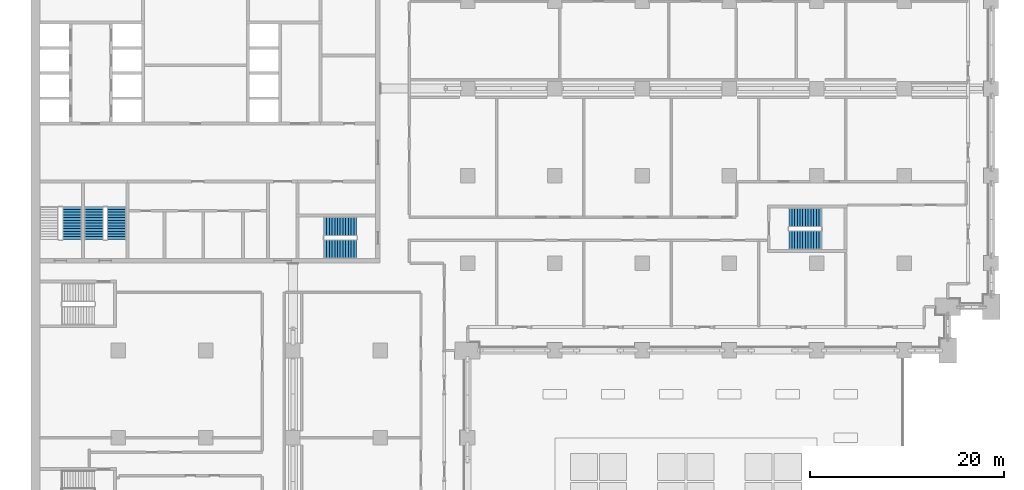
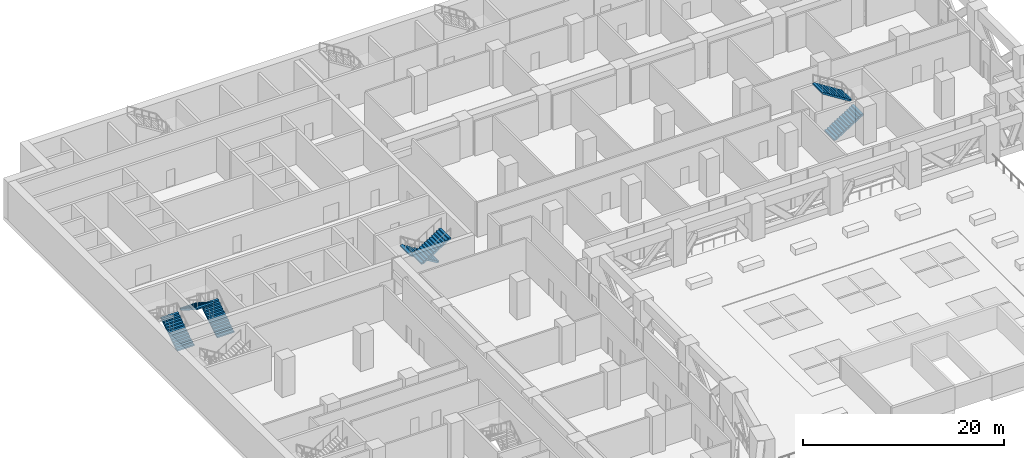
# One storey, part 21 of 31: 7 stair flights, 4 elements without a shape of their own.
"""IFC4 building model written with IfcOpenShell, lengths in metres."""

from ifc_helpers import new_model, si_unit, direction, frame, origin, place, context, subcontext, project, spatial, polyline, outline, extrude, material, type_object, element, aggregate, save


model = new_model("IFC4")

# Units and contexts
model_context = context("Model", 3, precision=1e-05, world=origin(), true_north=direction((0.0, 1.0)))
body_context = subcontext(model_context, "Body", "Model", "MODEL_VIEW")
ifc_project = project(units=[si_unit("LENGTHUNIT", "METRE"), si_unit("AREAUNIT", "SQUARE_METRE"), si_unit("VOLUMEUNIT", "CUBIC_METRE"), si_unit("PLANEANGLEUNIT", "RADIAN"), si_unit("MASSUNIT", "GRAM", prefix="KILO")], contexts=[model_context])

# Site, building, storey
site_placement = place(None, origin())
site = spatial("IfcSite", under=ifc_project, at=site_placement, CompositionType="ELEMENT")
building_placement = place(site_placement, origin())
building = spatial("IfcBuilding", under=site, at=building_placement, Name="Hunhe Ridgeline Campus", CompositionType="ELEMENT")
storey_placement = place(building_placement, frame((0.0, 0.0, 31.199951171875)))
storey = spatial("IfcBuildingStorey", under=building, at=storey_placement, Name="L06", CompositionType="ELEMENT", Elevation=31.199951171875)

# Stair, stair flights
ifc_material = material(Name="Concrete C40", Category="concrete")
stair_type = type_object("IfcStairType", Name="Reinforced concrete dog-leg stair 1950 Concrete C40", PredefinedType="HALF_TURN_STAIR", material=ifc_material)
stair_1_placement = place(storey_placement, origin())
stair_1 = element("IfcStair", 1, at=stair_1_placement, inside=storey, type_object=stair_type, Name="L06 S2", PredefinedType="HALF_TURN_STAIR")
stair_flight_type = type_object("IfcStairFlightType", Name="Reinforced concrete stair flight 1950 Concrete C40", PredefinedType="STRAIGHT", material=ifc_material)
stair_flight_1_placement = place(storey_placement, frame((33.550048828125, 66.77490234375, 0.0), z_axis=(0.0, 0.0, 1.0), x_axis=(-1.0, 0.0, 0.0)))
stair_flight_1 = element("IfcStairFlight", 2, at=stair_flight_1_placement, type_object=stair_flight_type, Name="ST2 flight 1", NumberOfRisers=13, NumberOfTreads=12, PredefinedType="STRAIGHT", RiserHeight=0.176923077, TreadLength=0.28, context=body_context, shape_type="SweptSolid", body=[
    extrude(outline(polyline([(0.0, 0.0), (0.0, 0.177001953125), (0.280029296875, 0.177001953125), (0.280029296875, 0.353759765625), (0.56005859375, 0.353759765625), (0.56005859375, 0.53076171875), (0.840087890625, 0.53076171875), (0.840087890625, 0.707763671875), (1.1201171875, 0.707763671875), (1.1201171875, 0.884521484375), (1.39990234375, 0.884521484375), (1.39990234375, 1.0615234375), (1.679931640625, 1.0615234375), (1.679931640625, 1.238525390625), (1.9599609375, 1.238525390625), (1.9599609375, 1.415283203125), (2.239990234375, 1.415283203125), (2.239990234375, 1.59228515625), (2.52001953125, 1.59228515625), (2.52001953125, 1.769287109375), (2.800048828125, 1.769287109375), (2.800048828125, 1.946044921875), (3.080078125, 1.946044921875), (3.080078125, 2.123046875), (3.360107421875, 2.123046875), (3.360107421875, 2.300048828125), (3.360107421875, 1.94580078125), (0.280517578125, 0.0), (0.0, 0.0)])), frame((0.0, 0.97509765625, 0.0), z_axis=(0.0, -1.0, 0.0), x_axis=(1.0, 0.0, 0.0)), (0.0, 0.0, 1.0), 1.949951171875),
    extrude(outline(polyline([(0.030029296875, 0.030029296875), (0.030029296875, 0.14697265625), (0.31005859375, 0.14697265625), (0.31005859375, 0.32373046875), (0.590087890625, 0.32373046875), (0.590087890625, 0.500732421875), (0.8701171875, 0.500732421875), (0.8701171875, 0.677734375), (1.14990234375, 0.677734375), (1.14990234375, 0.8544921875), (1.429931640625, 0.8544921875), (1.429931640625, 1.031494140625), (1.7099609375, 1.031494140625), (1.7099609375, 1.20849609375), (1.989990234375, 1.20849609375), (1.989990234375, 1.385498046875), (2.27001953125, 1.385498046875), (2.27001953125, 1.562255859375), (2.550048828125, 1.562255859375), (2.550048828125, 1.7392578125), (2.830078125, 1.7392578125), (2.830078125, 1.916259765625), (3.110107421875, 1.916259765625), (3.110107421875, 2.093017578125), (3.330078125, 2.093017578125), (3.330078125, 1.96240234375), (0.27197265625, 0.030029296875), (0.030029296875, 0.030029296875)])), frame((0.0, -0.070068359375, 0.0), z_axis=(0.0, -1.0, 0.0), x_axis=(1.0, 0.0, 0.0)), (0.0, 0.0, 1.0), 0.019775390625),
    extrude(outline(polyline([(0.030029296875, 0.030029296875), (0.030029296875, 0.14697265625), (0.31005859375, 0.14697265625), (0.31005859375, 0.32373046875), (0.590087890625, 0.32373046875), (0.590087890625, 0.500732421875), (0.8701171875, 0.500732421875), (0.8701171875, 0.677734375), (1.14990234375, 0.677734375), (1.14990234375, 0.8544921875), (1.429931640625, 0.8544921875), (1.429931640625, 1.031494140625), (1.7099609375, 1.031494140625), (1.7099609375, 1.20849609375), (1.989990234375, 1.20849609375), (1.989990234375, 1.385498046875), (2.27001953125, 1.385498046875), (2.27001953125, 1.562255859375), (2.550048828125, 1.562255859375), (2.550048828125, 1.7392578125), (2.830078125, 1.7392578125), (2.830078125, 1.916259765625), (3.110107421875, 1.916259765625), (3.110107421875, 2.093017578125), (3.330078125, 2.093017578125), (3.330078125, 1.96240234375), (0.27197265625, 0.030029296875), (0.030029296875, 0.030029296875)])), frame((0.0, 0.010009765625, 0.0), z_axis=(0.0, -1.0, 0.0), x_axis=(1.0, 0.0, 0.0)), (0.0, 0.0, 1.0), 0.019775390625),
    extrude(outline(polyline([(0.030029296875, 0.030029296875), (0.030029296875, 0.14697265625), (0.31005859375, 0.14697265625), (0.31005859375, 0.32373046875), (0.590087890625, 0.32373046875), (0.590087890625, 0.500732421875), (0.8701171875, 0.500732421875), (0.8701171875, 0.677734375), (1.14990234375, 0.677734375), (1.14990234375, 0.8544921875), (1.429931640625, 0.8544921875), (1.429931640625, 1.031494140625), (1.7099609375, 1.031494140625), (1.7099609375, 1.20849609375), (1.989990234375, 1.20849609375), (1.989990234375, 1.385498046875), (2.27001953125, 1.385498046875), (2.27001953125, 1.562255859375), (2.550048828125, 1.562255859375), (2.550048828125, 1.7392578125), (2.830078125, 1.7392578125), (2.830078125, 1.916259765625), (3.110107421875, 1.916259765625), (3.110107421875, 2.093017578125), (3.330078125, 2.093017578125), (3.330078125, 1.96240234375), (0.27197265625, 0.030029296875), (0.030029296875, 0.030029296875)])), frame((0.0, 0.090087890625, 0.0), z_axis=(0.0, -1.0, 0.0), x_axis=(1.0, 0.0, 0.0)), (0.0, 0.0, 1.0), 0.019775390625),
])
stair_flight_2_placement = place(storey_placement, frame((30.18994140625, 64.47509765625, 2.300048828125), z_axis=(0.0, 0.0, 1.0), x_axis=(1.0, 0.0, 0.0)))
stair_flight_2 = element("IfcStairFlight", 3, at=stair_flight_2_placement, type_object=stair_flight_type, Name="ST2 flight 2", NumberOfRisers=13, NumberOfTreads=12, PredefinedType="STRAIGHT", RiserHeight=0.176923077, TreadLength=0.28, context=body_context, shape_type="SweptSolid", body=[
    extrude(outline(polyline([(0.0, 0.0), (0.0, 0.177001953125), (0.280029296875, 0.177001953125), (0.280029296875, 0.353759765625), (0.56005859375, 0.353759765625), (0.56005859375, 0.53076171875), (0.840087890625, 0.53076171875), (0.840087890625, 0.707763671875), (1.1201171875, 0.707763671875), (1.1201171875, 0.884521484375), (1.39990234375, 0.884521484375), (1.39990234375, 1.0615234375), (1.679931640625, 1.0615234375), (1.679931640625, 1.238525390625), (1.9599609375, 1.238525390625), (1.9599609375, 1.415283203125), (2.239990234375, 1.415283203125), (2.239990234375, 1.59228515625), (2.52001953125, 1.59228515625), (2.52001953125, 1.769287109375), (2.800048828125, 1.769287109375), (2.800048828125, 1.946044921875), (3.080078125, 1.946044921875), (3.080078125, 2.123046875), (3.360107421875, 2.123046875), (3.360107421875, 2.300048828125), (3.360107421875, 1.94580078125), (0.280517578125, 0.0), (0.0, 0.0)])), frame((0.0, 0.97509765625, 0.0), z_axis=(0.0, -1.0, 0.0), x_axis=(1.0, 0.0, 0.0)), (0.0, 0.0, 1.0), 1.949951171875),
    extrude(outline(polyline([(0.030029296875, 0.030029296875), (0.030029296875, 0.14697265625), (0.31005859375, 0.14697265625), (0.31005859375, 0.32373046875), (0.590087890625, 0.32373046875), (0.590087890625, 0.500732421875), (0.8701171875, 0.500732421875), (0.8701171875, 0.677734375), (1.14990234375, 0.677734375), (1.14990234375, 0.8544921875), (1.429931640625, 0.8544921875), (1.429931640625, 1.031494140625), (1.7099609375, 1.031494140625), (1.7099609375, 1.20849609375), (1.989990234375, 1.20849609375), (1.989990234375, 1.385498046875), (2.27001953125, 1.385498046875), (2.27001953125, 1.562255859375), (2.550048828125, 1.562255859375), (2.550048828125, 1.7392578125), (2.830078125, 1.7392578125), (2.830078125, 1.916259765625), (3.110107421875, 1.916259765625), (3.110107421875, 2.093017578125), (3.330078125, 2.093017578125), (3.330078125, 1.96240234375), (0.27197265625, 0.030029296875), (0.030029296875, 0.030029296875)])), frame((0.0, -0.070068359375, 0.0), z_axis=(0.0, -1.0, 0.0), x_axis=(1.0, 0.0, 0.0)), (0.0, 0.0, 1.0), 0.019775390625),
    extrude(outline(polyline([(0.030029296875, 0.030029296875), (0.030029296875, 0.14697265625), (0.31005859375, 0.14697265625), (0.31005859375, 0.32373046875), (0.590087890625, 0.32373046875), (0.590087890625, 0.500732421875), (0.8701171875, 0.500732421875), (0.8701171875, 0.677734375), (1.14990234375, 0.677734375), (1.14990234375, 0.8544921875), (1.429931640625, 0.8544921875), (1.429931640625, 1.031494140625), (1.7099609375, 1.031494140625), (1.7099609375, 1.20849609375), (1.989990234375, 1.20849609375), (1.989990234375, 1.385498046875), (2.27001953125, 1.385498046875), (2.27001953125, 1.562255859375), (2.550048828125, 1.562255859375), (2.550048828125, 1.7392578125), (2.830078125, 1.7392578125), (2.830078125, 1.916259765625), (3.110107421875, 1.916259765625), (3.110107421875, 2.093017578125), (3.330078125, 2.093017578125), (3.330078125, 1.96240234375), (0.27197265625, 0.030029296875), (0.030029296875, 0.030029296875)])), frame((0.0, 0.010009765625, 0.0), z_axis=(0.0, -1.0, 0.0), x_axis=(1.0, 0.0, 0.0)), (0.0, 0.0, 1.0), 0.019775390625),
    extrude(outline(polyline([(0.030029296875, 0.030029296875), (0.030029296875, 0.14697265625), (0.31005859375, 0.14697265625), (0.31005859375, 0.32373046875), (0.590087890625, 0.32373046875), (0.590087890625, 0.500732421875), (0.8701171875, 0.500732421875), (0.8701171875, 0.677734375), (1.14990234375, 0.677734375), (1.14990234375, 0.8544921875), (1.429931640625, 0.8544921875), (1.429931640625, 1.031494140625), (1.7099609375, 1.031494140625), (1.7099609375, 1.20849609375), (1.989990234375, 1.20849609375), (1.989990234375, 1.385498046875), (2.27001953125, 1.385498046875), (2.27001953125, 1.562255859375), (2.550048828125, 1.562255859375), (2.550048828125, 1.7392578125), (2.830078125, 1.7392578125), (2.830078125, 1.916259765625), (3.110107421875, 1.916259765625), (3.110107421875, 2.093017578125), (3.330078125, 2.093017578125), (3.330078125, 1.96240234375), (0.27197265625, 0.030029296875), (0.030029296875, 0.030029296875)])), frame((0.0, 0.090087890625, 0.0), z_axis=(0.0, -1.0, 0.0), x_axis=(1.0, 0.0, 0.0)), (0.0, 0.0, 1.0), 0.019775390625),
])
aggregate(stair_1, [stair_flight_1, stair_flight_2])

# Stair, stair flight
stair_2_placement = place(storey_placement, origin())
stair_2 = element("IfcStair", 4, at=stair_2_placement, inside=storey, type_object=stair_type, Name="L06 S3", PredefinedType="HALF_TURN_STAIR")
stair_flight_3_placement = place(storey_placement, frame((4.22509765625, 65.449951171875, 0.0), z_axis=(0.0, 0.0, 1.0), x_axis=(0.0, 1.0, 0.0)))
stair_flight_3 = element("IfcStairFlight", 5, at=stair_flight_3_placement, type_object=stair_flight_type, Name="ST3 flight 1", NumberOfRisers=13, NumberOfTreads=12, PredefinedType="STRAIGHT", RiserHeight=0.176923077, TreadLength=0.28, context=body_context, shape_type="SweptSolid", body=[
    extrude(outline(polyline([(0.0, 0.0), (0.0, 0.177001953125), (0.280029296875, 0.177001953125), (0.280029296875, 0.353759765625), (0.56005859375, 0.353759765625), (0.56005859375, 0.53076171875), (0.840087890625, 0.53076171875), (0.840087890625, 0.707763671875), (1.1201171875, 0.707763671875), (1.1201171875, 0.884521484375), (1.39990234375, 0.884521484375), (1.39990234375, 1.0615234375), (1.679931640625, 1.0615234375), (1.679931640625, 1.238525390625), (1.9599609375, 1.238525390625), (1.9599609375, 1.415283203125), (2.239990234375, 1.415283203125), (2.239990234375, 1.59228515625), (2.52001953125, 1.59228515625), (2.52001953125, 1.769287109375), (2.800048828125, 1.769287109375), (2.800048828125, 1.946044921875), (3.080078125, 1.946044921875), (3.080078125, 2.123046875), (3.360107421875, 2.123046875), (3.360107421875, 2.300048828125), (3.360107421875, 1.94580078125), (0.280517578125, 0.0), (0.0, 0.0)])), frame((0.0, 0.97509765625, 0.0), z_axis=(0.0, -1.0, 0.0), x_axis=(1.0, 0.0, 0.0)), (0.0, 0.0, 1.0), 1.949951171875),
    extrude(outline(polyline([(0.030029296875, 0.030029296875), (0.030029296875, 0.14697265625), (0.31005859375, 0.14697265625), (0.31005859375, 0.32373046875), (0.590087890625, 0.32373046875), (0.590087890625, 0.500732421875), (0.8701171875, 0.500732421875), (0.8701171875, 0.677734375), (1.14990234375, 0.677734375), (1.14990234375, 0.8544921875), (1.429931640625, 0.8544921875), (1.429931640625, 1.031494140625), (1.7099609375, 1.031494140625), (1.7099609375, 1.20849609375), (1.989990234375, 1.20849609375), (1.989990234375, 1.385498046875), (2.27001953125, 1.385498046875), (2.27001953125, 1.562255859375), (2.550048828125, 1.562255859375), (2.550048828125, 1.7392578125), (2.830078125, 1.7392578125), (2.830078125, 1.916259765625), (3.110107421875, 1.916259765625), (3.110107421875, 2.093017578125), (3.330078125, 2.093017578125), (3.330078125, 1.96240234375), (0.27197265625, 0.030029296875), (0.030029296875, 0.030029296875)])), frame((0.0, -0.070068359375, 0.0), z_axis=(0.0, -1.0, 0.0), x_axis=(1.0, 0.0, 0.0)), (0.0, 0.0, 1.0), 0.019775390625),
    extrude(outline(polyline([(0.030029296875, 0.030029296875), (0.030029296875, 0.14697265625), (0.31005859375, 0.14697265625), (0.31005859375, 0.32373046875), (0.590087890625, 0.32373046875), (0.590087890625, 0.500732421875), (0.8701171875, 0.500732421875), (0.8701171875, 0.677734375), (1.14990234375, 0.677734375), (1.14990234375, 0.8544921875), (1.429931640625, 0.8544921875), (1.429931640625, 1.031494140625), (1.7099609375, 1.031494140625), (1.7099609375, 1.20849609375), (1.989990234375, 1.20849609375), (1.989990234375, 1.385498046875), (2.27001953125, 1.385498046875), (2.27001953125, 1.562255859375), (2.550048828125, 1.562255859375), (2.550048828125, 1.7392578125), (2.830078125, 1.7392578125), (2.830078125, 1.916259765625), (3.110107421875, 1.916259765625), (3.110107421875, 2.093017578125), (3.330078125, 2.093017578125), (3.330078125, 1.96240234375), (0.27197265625, 0.030029296875), (0.030029296875, 0.030029296875)])), frame((0.0, 0.010009765625, 0.0), z_axis=(0.0, -1.0, 0.0), x_axis=(1.0, 0.0, 0.0)), (0.0, 0.0, 1.0), 0.019775390625),
    extrude(outline(polyline([(0.030029296875, 0.030029296875), (0.030029296875, 0.14697265625), (0.31005859375, 0.14697265625), (0.31005859375, 0.32373046875), (0.590087890625, 0.32373046875), (0.590087890625, 0.500732421875), (0.8701171875, 0.500732421875), (0.8701171875, 0.677734375), (1.14990234375, 0.677734375), (1.14990234375, 0.8544921875), (1.429931640625, 0.8544921875), (1.429931640625, 1.031494140625), (1.7099609375, 1.031494140625), (1.7099609375, 1.20849609375), (1.989990234375, 1.20849609375), (1.989990234375, 1.385498046875), (2.27001953125, 1.385498046875), (2.27001953125, 1.562255859375), (2.550048828125, 1.562255859375), (2.550048828125, 1.7392578125), (2.830078125, 1.7392578125), (2.830078125, 1.916259765625), (3.110107421875, 1.916259765625), (3.110107421875, 2.093017578125), (3.330078125, 2.093017578125), (3.330078125, 1.96240234375), (0.27197265625, 0.030029296875), (0.030029296875, 0.030029296875)])), frame((0.0, 0.090087890625, 0.0), z_axis=(0.0, -1.0, 0.0), x_axis=(1.0, 0.0, 0.0)), (0.0, 0.0, 1.0), 0.019775390625),
])
aggregate(stair_2, [stair_flight_3])

# Stair, stair flights
stair_3_placement = place(storey_placement, origin())
stair_3 = element("IfcStair", 6, at=stair_3_placement, inside=storey, type_object=stair_type, Name="L06 S4", PredefinedType="HALF_TURN_STAIR")
stair_flight_4_placement = place(storey_placement, frame((8.824951171875, 65.449951171875, 0.0), z_axis=(0.0, 0.0, 1.0), x_axis=(0.0, 1.0, 0.0)))
stair_flight_4 = element("IfcStairFlight", 7, at=stair_flight_4_placement, type_object=stair_flight_type, Name="ST4 flight 1", NumberOfRisers=13, NumberOfTreads=12, PredefinedType="STRAIGHT", RiserHeight=0.176923077, TreadLength=0.28, context=body_context, shape_type="SweptSolid", body=[
    extrude(outline(polyline([(0.0, 0.0), (0.0, 0.177001953125), (0.280029296875, 0.177001953125), (0.280029296875, 0.353759765625), (0.56005859375, 0.353759765625), (0.56005859375, 0.53076171875), (0.840087890625, 0.53076171875), (0.840087890625, 0.707763671875), (1.1201171875, 0.707763671875), (1.1201171875, 0.884521484375), (1.39990234375, 0.884521484375), (1.39990234375, 1.0615234375), (1.679931640625, 1.0615234375), (1.679931640625, 1.238525390625), (1.9599609375, 1.238525390625), (1.9599609375, 1.415283203125), (2.239990234375, 1.415283203125), (2.239990234375, 1.59228515625), (2.52001953125, 1.59228515625), (2.52001953125, 1.769287109375), (2.800048828125, 1.769287109375), (2.800048828125, 1.946044921875), (3.080078125, 1.946044921875), (3.080078125, 2.123046875), (3.360107421875, 2.123046875), (3.360107421875, 2.300048828125), (3.360107421875, 1.94580078125), (0.280517578125, 0.0), (0.0, 0.0)])), frame((0.0, 0.97509765625, 0.0), z_axis=(0.0, -1.0, 0.0), x_axis=(1.0, 0.0, 0.0)), (0.0, 0.0, 1.0), 1.949951171875),
    extrude(outline(polyline([(0.030029296875, 0.030029296875), (0.030029296875, 0.14697265625), (0.31005859375, 0.14697265625), (0.31005859375, 0.32373046875), (0.590087890625, 0.32373046875), (0.590087890625, 0.500732421875), (0.8701171875, 0.500732421875), (0.8701171875, 0.677734375), (1.14990234375, 0.677734375), (1.14990234375, 0.8544921875), (1.429931640625, 0.8544921875), (1.429931640625, 1.031494140625), (1.7099609375, 1.031494140625), (1.7099609375, 1.20849609375), (1.989990234375, 1.20849609375), (1.989990234375, 1.385498046875), (2.27001953125, 1.385498046875), (2.27001953125, 1.562255859375), (2.550048828125, 1.562255859375), (2.550048828125, 1.7392578125), (2.830078125, 1.7392578125), (2.830078125, 1.916259765625), (3.110107421875, 1.916259765625), (3.110107421875, 2.093017578125), (3.330078125, 2.093017578125), (3.330078125, 1.96240234375), (0.27197265625, 0.030029296875), (0.030029296875, 0.030029296875)])), frame((0.0, -0.070068359375, 0.0), z_axis=(0.0, -1.0, 0.0), x_axis=(1.0, 0.0, 0.0)), (0.0, 0.0, 1.0), 0.019775390625),
    extrude(outline(polyline([(0.030029296875, 0.030029296875), (0.030029296875, 0.14697265625), (0.31005859375, 0.14697265625), (0.31005859375, 0.32373046875), (0.590087890625, 0.32373046875), (0.590087890625, 0.500732421875), (0.8701171875, 0.500732421875), (0.8701171875, 0.677734375), (1.14990234375, 0.677734375), (1.14990234375, 0.8544921875), (1.429931640625, 0.8544921875), (1.429931640625, 1.031494140625), (1.7099609375, 1.031494140625), (1.7099609375, 1.20849609375), (1.989990234375, 1.20849609375), (1.989990234375, 1.385498046875), (2.27001953125, 1.385498046875), (2.27001953125, 1.562255859375), (2.550048828125, 1.562255859375), (2.550048828125, 1.7392578125), (2.830078125, 1.7392578125), (2.830078125, 1.916259765625), (3.110107421875, 1.916259765625), (3.110107421875, 2.093017578125), (3.330078125, 2.093017578125), (3.330078125, 1.96240234375), (0.27197265625, 0.030029296875), (0.030029296875, 0.030029296875)])), frame((0.0, 0.010009765625, 0.0), z_axis=(0.0, -1.0, 0.0), x_axis=(1.0, 0.0, 0.0)), (0.0, 0.0, 1.0), 0.019775390625),
    extrude(outline(polyline([(0.030029296875, 0.030029296875), (0.030029296875, 0.14697265625), (0.31005859375, 0.14697265625), (0.31005859375, 0.32373046875), (0.590087890625, 0.32373046875), (0.590087890625, 0.500732421875), (0.8701171875, 0.500732421875), (0.8701171875, 0.677734375), (1.14990234375, 0.677734375), (1.14990234375, 0.8544921875), (1.429931640625, 0.8544921875), (1.429931640625, 1.031494140625), (1.7099609375, 1.031494140625), (1.7099609375, 1.20849609375), (1.989990234375, 1.20849609375), (1.989990234375, 1.385498046875), (2.27001953125, 1.385498046875), (2.27001953125, 1.562255859375), (2.550048828125, 1.562255859375), (2.550048828125, 1.7392578125), (2.830078125, 1.7392578125), (2.830078125, 1.916259765625), (3.110107421875, 1.916259765625), (3.110107421875, 2.093017578125), (3.330078125, 2.093017578125), (3.330078125, 1.96240234375), (0.27197265625, 0.030029296875), (0.030029296875, 0.030029296875)])), frame((0.0, 0.090087890625, 0.0), z_axis=(0.0, -1.0, 0.0), x_axis=(1.0, 0.0, 0.0)), (0.0, 0.0, 1.0), 0.019775390625),
])
stair_flight_5_placement = place(storey_placement, frame((6.47509765625, 68.81005859375, 2.300048828125), z_axis=(0.0, 0.0, 1.0), x_axis=(0.0, -1.0, 0.0)))
stair_flight_5 = element("IfcStairFlight", 8, at=stair_flight_5_placement, type_object=stair_flight_type, Name="ST4 flight 2", NumberOfRisers=13, NumberOfTreads=12, PredefinedType="STRAIGHT", RiserHeight=0.176923077, TreadLength=0.28, context=body_context, shape_type="SweptSolid", body=[
    extrude(outline(polyline([(0.0, 0.0), (0.0, 0.177001953125), (0.280029296875, 0.177001953125), (0.280029296875, 0.353759765625), (0.56005859375, 0.353759765625), (0.56005859375, 0.53076171875), (0.840087890625, 0.53076171875), (0.840087890625, 0.707763671875), (1.1201171875, 0.707763671875), (1.1201171875, 0.884521484375), (1.39990234375, 0.884521484375), (1.39990234375, 1.0615234375), (1.679931640625, 1.0615234375), (1.679931640625, 1.238525390625), (1.9599609375, 1.238525390625), (1.9599609375, 1.415283203125), (2.239990234375, 1.415283203125), (2.239990234375, 1.59228515625), (2.52001953125, 1.59228515625), (2.52001953125, 1.769287109375), (2.800048828125, 1.769287109375), (2.800048828125, 1.946044921875), (3.080078125, 1.946044921875), (3.080078125, 2.123046875), (3.360107421875, 2.123046875), (3.360107421875, 2.300048828125), (3.360107421875, 1.94580078125), (0.280517578125, 0.0), (0.0, 0.0)])), frame((0.0, 0.97509765625, 0.0), z_axis=(0.0, -1.0, 0.0), x_axis=(1.0, 0.0, 0.0)), (0.0, 0.0, 1.0), 1.949951171875),
    extrude(outline(polyline([(0.030029296875, 0.030029296875), (0.030029296875, 0.14697265625), (0.31005859375, 0.14697265625), (0.31005859375, 0.32373046875), (0.590087890625, 0.32373046875), (0.590087890625, 0.500732421875), (0.8701171875, 0.500732421875), (0.8701171875, 0.677734375), (1.14990234375, 0.677734375), (1.14990234375, 0.8544921875), (1.429931640625, 0.8544921875), (1.429931640625, 1.031494140625), (1.7099609375, 1.031494140625), (1.7099609375, 1.20849609375), (1.989990234375, 1.20849609375), (1.989990234375, 1.385498046875), (2.27001953125, 1.385498046875), (2.27001953125, 1.562255859375), (2.550048828125, 1.562255859375), (2.550048828125, 1.7392578125), (2.830078125, 1.7392578125), (2.830078125, 1.916259765625), (3.110107421875, 1.916259765625), (3.110107421875, 2.093017578125), (3.330078125, 2.093017578125), (3.330078125, 1.96240234375), (0.27197265625, 0.030029296875), (0.030029296875, 0.030029296875)])), frame((0.0, -0.070068359375, 0.0), z_axis=(0.0, -1.0, 0.0), x_axis=(1.0, 0.0, 0.0)), (0.0, 0.0, 1.0), 0.019775390625),
    extrude(outline(polyline([(0.030029296875, 0.030029296875), (0.030029296875, 0.14697265625), (0.31005859375, 0.14697265625), (0.31005859375, 0.32373046875), (0.590087890625, 0.32373046875), (0.590087890625, 0.500732421875), (0.8701171875, 0.500732421875), (0.8701171875, 0.677734375), (1.14990234375, 0.677734375), (1.14990234375, 0.8544921875), (1.429931640625, 0.8544921875), (1.429931640625, 1.031494140625), (1.7099609375, 1.031494140625), (1.7099609375, 1.20849609375), (1.989990234375, 1.20849609375), (1.989990234375, 1.385498046875), (2.27001953125, 1.385498046875), (2.27001953125, 1.562255859375), (2.550048828125, 1.562255859375), (2.550048828125, 1.7392578125), (2.830078125, 1.7392578125), (2.830078125, 1.916259765625), (3.110107421875, 1.916259765625), (3.110107421875, 2.093017578125), (3.330078125, 2.093017578125), (3.330078125, 1.96240234375), (0.27197265625, 0.030029296875), (0.030029296875, 0.030029296875)])), frame((0.0, 0.010009765625, 0.0), z_axis=(0.0, -1.0, 0.0), x_axis=(1.0, 0.0, 0.0)), (0.0, 0.0, 1.0), 0.019775390625),
    extrude(outline(polyline([(0.030029296875, 0.030029296875), (0.030029296875, 0.14697265625), (0.31005859375, 0.14697265625), (0.31005859375, 0.32373046875), (0.590087890625, 0.32373046875), (0.590087890625, 0.500732421875), (0.8701171875, 0.500732421875), (0.8701171875, 0.677734375), (1.14990234375, 0.677734375), (1.14990234375, 0.8544921875), (1.429931640625, 0.8544921875), (1.429931640625, 1.031494140625), (1.7099609375, 1.031494140625), (1.7099609375, 1.20849609375), (1.989990234375, 1.20849609375), (1.989990234375, 1.385498046875), (2.27001953125, 1.385498046875), (2.27001953125, 1.562255859375), (2.550048828125, 1.562255859375), (2.550048828125, 1.7392578125), (2.830078125, 1.7392578125), (2.830078125, 1.916259765625), (3.110107421875, 1.916259765625), (3.110107421875, 2.093017578125), (3.330078125, 2.093017578125), (3.330078125, 1.96240234375), (0.27197265625, 0.030029296875), (0.030029296875, 0.030029296875)])), frame((0.0, 0.090087890625, 0.0), z_axis=(0.0, -1.0, 0.0), x_axis=(1.0, 0.0, 0.0)), (0.0, 0.0, 1.0), 0.019775390625),
])
aggregate(stair_3, [stair_flight_4, stair_flight_5])

stair_4_placement = place(storey_placement, origin())
stair_4 = element("IfcStair", 9, at=stair_4_placement, inside=storey, type_object=stair_type, Name="L06 E5", PredefinedType="HALF_TURN_STAIR")
stair_flight_6_placement = place(storey_placement, frame((78.14990234375, 65.375, 0.0), z_axis=(0.0, 0.0, 1.0), x_axis=(1.0, 0.0, 0.0)))
stair_flight_6 = element("IfcStairFlight", 10, at=stair_flight_6_placement, type_object=stair_flight_type, Name="ST10 flight 1", NumberOfRisers=13, NumberOfTreads=12, PredefinedType="STRAIGHT", RiserHeight=0.176923077, TreadLength=0.28, context=body_context, shape_type="SweptSolid", body=[
    extrude(outline(polyline([(0.0, 0.0), (0.0, 0.177001953125), (0.280029296875, 0.177001953125), (0.280029296875, 0.353759765625), (0.56005859375, 0.353759765625), (0.56005859375, 0.53076171875), (0.840087890625, 0.53076171875), (0.840087890625, 0.707763671875), (1.1201171875, 0.707763671875), (1.1201171875, 0.884521484375), (1.39990234375, 0.884521484375), (1.39990234375, 1.0615234375), (1.679931640625, 1.0615234375), (1.679931640625, 1.238525390625), (1.9599609375, 1.238525390625), (1.9599609375, 1.415283203125), (2.239990234375, 1.415283203125), (2.239990234375, 1.59228515625), (2.52001953125, 1.59228515625), (2.52001953125, 1.769287109375), (2.800048828125, 1.769287109375), (2.800048828125, 1.946044921875), (3.080078125, 1.946044921875), (3.080078125, 2.123046875), (3.360107421875, 2.123046875), (3.360107421875, 2.300048828125), (3.360107421875, 1.94580078125), (0.280517578125, 0.0), (0.0, 0.0)])), frame((0.0, 0.97509765625, 0.0), z_axis=(0.0, -1.0, 0.0), x_axis=(1.0, 0.0, 0.0)), (0.0, 0.0, 1.0), 1.949951171875),
    extrude(outline(polyline([(0.030029296875, 0.030029296875), (0.030029296875, 0.14697265625), (0.31005859375, 0.14697265625), (0.31005859375, 0.32373046875), (0.590087890625, 0.32373046875), (0.590087890625, 0.500732421875), (0.8701171875, 0.500732421875), (0.8701171875, 0.677734375), (1.14990234375, 0.677734375), (1.14990234375, 0.8544921875), (1.429931640625, 0.8544921875), (1.429931640625, 1.031494140625), (1.7099609375, 1.031494140625), (1.7099609375, 1.20849609375), (1.989990234375, 1.20849609375), (1.989990234375, 1.385498046875), (2.27001953125, 1.385498046875), (2.27001953125, 1.562255859375), (2.550048828125, 1.562255859375), (2.550048828125, 1.7392578125), (2.830078125, 1.7392578125), (2.830078125, 1.916259765625), (3.110107421875, 1.916259765625), (3.110107421875, 2.093017578125), (3.330078125, 2.093017578125), (3.330078125, 1.96240234375), (0.27197265625, 0.030029296875), (0.030029296875, 0.030029296875)])), frame((0.0, -0.070068359375, 0.0), z_axis=(0.0, -1.0, 0.0), x_axis=(1.0, 0.0, 0.0)), (0.0, 0.0, 1.0), 0.019775390625),
    extrude(outline(polyline([(0.030029296875, 0.030029296875), (0.030029296875, 0.14697265625), (0.31005859375, 0.14697265625), (0.31005859375, 0.32373046875), (0.590087890625, 0.32373046875), (0.590087890625, 0.500732421875), (0.8701171875, 0.500732421875), (0.8701171875, 0.677734375), (1.14990234375, 0.677734375), (1.14990234375, 0.8544921875), (1.429931640625, 0.8544921875), (1.429931640625, 1.031494140625), (1.7099609375, 1.031494140625), (1.7099609375, 1.20849609375), (1.989990234375, 1.20849609375), (1.989990234375, 1.385498046875), (2.27001953125, 1.385498046875), (2.27001953125, 1.562255859375), (2.550048828125, 1.562255859375), (2.550048828125, 1.7392578125), (2.830078125, 1.7392578125), (2.830078125, 1.916259765625), (3.110107421875, 1.916259765625), (3.110107421875, 2.093017578125), (3.330078125, 2.093017578125), (3.330078125, 1.96240234375), (0.27197265625, 0.030029296875), (0.030029296875, 0.030029296875)])), frame((0.0, 0.010009765625, 0.0), z_axis=(0.0, -1.0, 0.0), x_axis=(1.0, 0.0, 0.0)), (0.0, 0.0, 1.0), 0.019775390625),
    extrude(outline(polyline([(0.030029296875, 0.030029296875), (0.030029296875, 0.14697265625), (0.31005859375, 0.14697265625), (0.31005859375, 0.32373046875), (0.590087890625, 0.32373046875), (0.590087890625, 0.500732421875), (0.8701171875, 0.500732421875), (0.8701171875, 0.677734375), (1.14990234375, 0.677734375), (1.14990234375, 0.8544921875), (1.429931640625, 0.8544921875), (1.429931640625, 1.031494140625), (1.7099609375, 1.031494140625), (1.7099609375, 1.20849609375), (1.989990234375, 1.20849609375), (1.989990234375, 1.385498046875), (2.27001953125, 1.385498046875), (2.27001953125, 1.562255859375), (2.550048828125, 1.562255859375), (2.550048828125, 1.7392578125), (2.830078125, 1.7392578125), (2.830078125, 1.916259765625), (3.110107421875, 1.916259765625), (3.110107421875, 2.093017578125), (3.330078125, 2.093017578125), (3.330078125, 1.96240234375), (0.27197265625, 0.030029296875), (0.030029296875, 0.030029296875)])), frame((0.0, 0.090087890625, 0.0), z_axis=(0.0, -1.0, 0.0), x_axis=(1.0, 0.0, 0.0)), (0.0, 0.0, 1.0), 0.019775390625),
])
stair_flight_7_placement = place(storey_placement, frame((81.510009765625, 67.72509765625, 2.300048828125), z_axis=(0.0, 0.0, 1.0), x_axis=(-1.0, 0.0, 0.0)))
stair_flight_7 = element("IfcStairFlight", 11, at=stair_flight_7_placement, type_object=stair_flight_type, Name="ST10 flight 2", NumberOfRisers=13, NumberOfTreads=12, PredefinedType="STRAIGHT", RiserHeight=0.176923077, TreadLength=0.28, context=body_context, shape_type="SweptSolid", body=[
    extrude(outline(polyline([(0.0, 0.0), (0.0, 0.177001953125), (0.280029296875, 0.177001953125), (0.280029296875, 0.353759765625), (0.56005859375, 0.353759765625), (0.56005859375, 0.53076171875), (0.840087890625, 0.53076171875), (0.840087890625, 0.707763671875), (1.1201171875, 0.707763671875), (1.1201171875, 0.884521484375), (1.39990234375, 0.884521484375), (1.39990234375, 1.0615234375), (1.679931640625, 1.0615234375), (1.679931640625, 1.238525390625), (1.9599609375, 1.238525390625), (1.9599609375, 1.415283203125), (2.239990234375, 1.415283203125), (2.239990234375, 1.59228515625), (2.52001953125, 1.59228515625), (2.52001953125, 1.769287109375), (2.800048828125, 1.769287109375), (2.800048828125, 1.946044921875), (3.080078125, 1.946044921875), (3.080078125, 2.123046875), (3.360107421875, 2.123046875), (3.360107421875, 2.300048828125), (3.360107421875, 1.94580078125), (0.280517578125, 0.0), (0.0, 0.0)])), frame((0.0, 0.97509765625, 0.0), z_axis=(0.0, -1.0, 0.0), x_axis=(1.0, 0.0, 0.0)), (0.0, 0.0, 1.0), 1.949951171875),
    extrude(outline(polyline([(0.030029296875, 0.030029296875), (0.030029296875, 0.14697265625), (0.31005859375, 0.14697265625), (0.31005859375, 0.32373046875), (0.590087890625, 0.32373046875), (0.590087890625, 0.500732421875), (0.8701171875, 0.500732421875), (0.8701171875, 0.677734375), (1.14990234375, 0.677734375), (1.14990234375, 0.8544921875), (1.429931640625, 0.8544921875), (1.429931640625, 1.031494140625), (1.7099609375, 1.031494140625), (1.7099609375, 1.20849609375), (1.989990234375, 1.20849609375), (1.989990234375, 1.385498046875), (2.27001953125, 1.385498046875), (2.27001953125, 1.562255859375), (2.550048828125, 1.562255859375), (2.550048828125, 1.7392578125), (2.830078125, 1.7392578125), (2.830078125, 1.916259765625), (3.110107421875, 1.916259765625), (3.110107421875, 2.093017578125), (3.330078125, 2.093017578125), (3.330078125, 1.96240234375), (0.27197265625, 0.030029296875), (0.030029296875, 0.030029296875)])), frame((0.0, -0.070068359375, 0.0), z_axis=(0.0, -1.0, 0.0), x_axis=(1.0, 0.0, 0.0)), (0.0, 0.0, 1.0), 0.019775390625),
    extrude(outline(polyline([(0.030029296875, 0.030029296875), (0.030029296875, 0.14697265625), (0.31005859375, 0.14697265625), (0.31005859375, 0.32373046875), (0.590087890625, 0.32373046875), (0.590087890625, 0.500732421875), (0.8701171875, 0.500732421875), (0.8701171875, 0.677734375), (1.14990234375, 0.677734375), (1.14990234375, 0.8544921875), (1.429931640625, 0.8544921875), (1.429931640625, 1.031494140625), (1.7099609375, 1.031494140625), (1.7099609375, 1.20849609375), (1.989990234375, 1.20849609375), (1.989990234375, 1.385498046875), (2.27001953125, 1.385498046875), (2.27001953125, 1.562255859375), (2.550048828125, 1.562255859375), (2.550048828125, 1.7392578125), (2.830078125, 1.7392578125), (2.830078125, 1.916259765625), (3.110107421875, 1.916259765625), (3.110107421875, 2.093017578125), (3.330078125, 2.093017578125), (3.330078125, 1.96240234375), (0.27197265625, 0.030029296875), (0.030029296875, 0.030029296875)])), frame((0.0, 0.010009765625, 0.0), z_axis=(0.0, -1.0, 0.0), x_axis=(1.0, 0.0, 0.0)), (0.0, 0.0, 1.0), 0.019775390625),
    extrude(outline(polyline([(0.030029296875, 0.030029296875), (0.030029296875, 0.14697265625), (0.31005859375, 0.14697265625), (0.31005859375, 0.32373046875), (0.590087890625, 0.32373046875), (0.590087890625, 0.500732421875), (0.8701171875, 0.500732421875), (0.8701171875, 0.677734375), (1.14990234375, 0.677734375), (1.14990234375, 0.8544921875), (1.429931640625, 0.8544921875), (1.429931640625, 1.031494140625), (1.7099609375, 1.031494140625), (1.7099609375, 1.20849609375), (1.989990234375, 1.20849609375), (1.989990234375, 1.385498046875), (2.27001953125, 1.385498046875), (2.27001953125, 1.562255859375), (2.550048828125, 1.562255859375), (2.550048828125, 1.7392578125), (2.830078125, 1.7392578125), (2.830078125, 1.916259765625), (3.110107421875, 1.916259765625), (3.110107421875, 2.093017578125), (3.330078125, 2.093017578125), (3.330078125, 1.96240234375), (0.27197265625, 0.030029296875), (0.030029296875, 0.030029296875)])), frame((0.0, 0.090087890625, 0.0), z_axis=(0.0, -1.0, 0.0), x_axis=(1.0, 0.0, 0.0)), (0.0, 0.0, 1.0), 0.019775390625),
])
aggregate(stair_4, [stair_flight_6, stair_flight_7])

save(model, "model.ifc")
